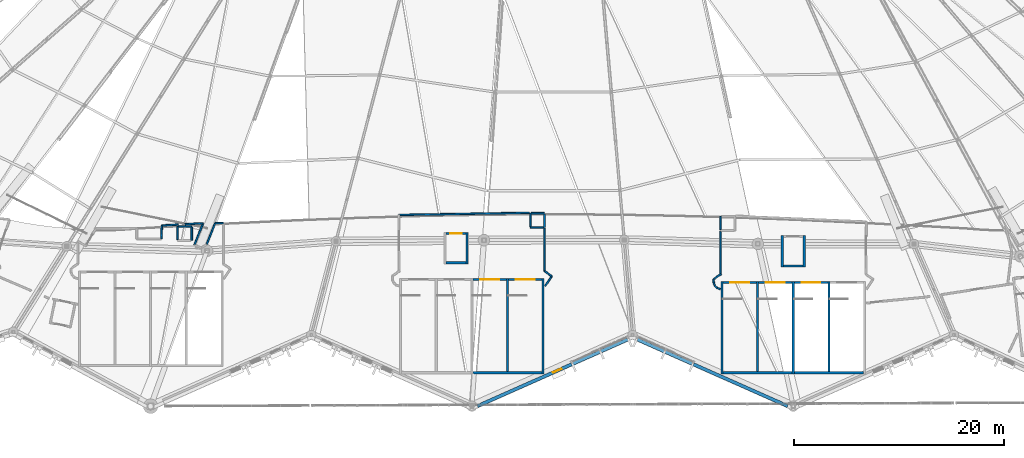
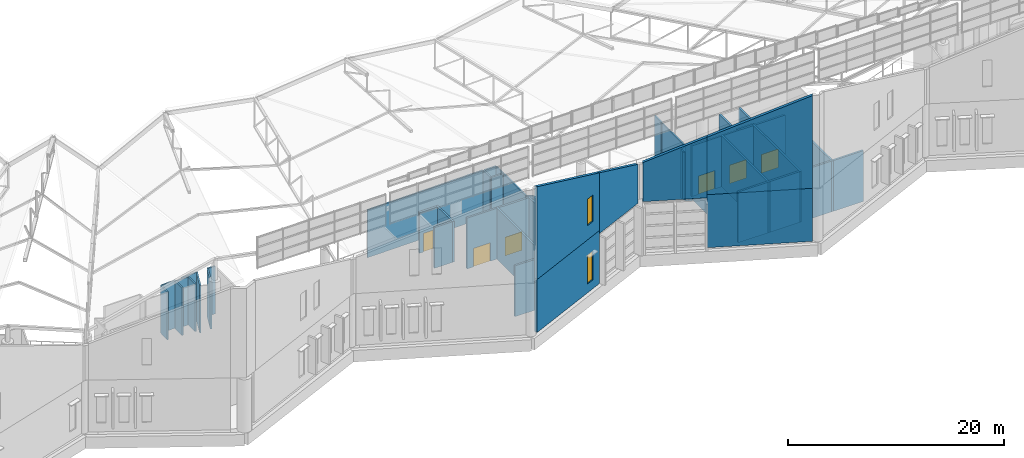
# One storey, part 248 of 344: 50 walls, 6 doors, 2 windows, 8 openings.
"""IFC4 building model written with IfcOpenShell, lengths in metres."""

from ifc_helpers import new_model, si_unit, direction, frame, frame_2d, origin, place, context, subcontext, project, spatial, polyline, rectangle, outline, extrude, material, layer, layer_set, type_object, element, fill, save


model = new_model("IFC4")

# Units and contexts
model_context = context("Model", 3, precision=1e-05, world=origin(), true_north=direction((0.0, 1.0)))
body_context = subcontext(model_context, "Body", "Model", "MODEL_VIEW")
ifc_project = project(units=[si_unit("LENGTHUNIT", "METRE"), si_unit("AREAUNIT", "SQUARE_METRE"), si_unit("VOLUMEUNIT", "CUBIC_METRE"), si_unit("PLANEANGLEUNIT", "RADIAN"), si_unit("MASSUNIT", "GRAM", prefix="KILO")], contexts=[model_context])

# Site, building, storey
site_placement = place(None, origin())
site = spatial("IfcSite", under=ifc_project, at=site_placement, CompositionType="ELEMENT")
building_placement = place(site_placement, origin())
building = spatial("IfcBuilding", under=site, at=building_placement, Name="Meseta Stadium", CompositionType="ELEMENT")
storey_placement = place(building_placement, frame((0.0, 0.0, 24.0)))
storey = spatial("IfcBuildingStorey", under=building, at=storey_placement, Name="L04", CompositionType="ELEMENT", Elevation=24.0)

# Walls
ifc_material_1 = material(Name="Concrete C40/50", Category="concrete")
ifc_layer_1 = layer(ifc_material_1, 0.199951171875)
ifc_layer_set_1 = layer_set([ifc_layer_1], Name="Core divider wall 200")
wall_type_1 = type_object("IfcWallType", Name="Core divider wall 200", PredefinedType="SHEAR", material=ifc_layer_set_1)
wall_1_placement = place(storey_placement, frame((-4.2666015625, -102.300048828125, 0.0), z_axis=(0.0, 0.0, 1.0), x_axis=(0.0, 1.0, 0.0)))
element("IfcWall", 1, at=wall_1_placement, inside=storey, type_object=wall_type_1, Name="Core 24 L04 stair B divider wall", PredefinedType="SHEAR", context=body_context, shape_type="SweptSolid", body=[
    extrude(rectangle(XDim=9.10009765625, YDim=0.199951171875, at=frame_2d((4.550048828125, 0.0))), origin(), (0.0, 0.0, 1.0), 5.75),
])
for number, where, z_axis, x_axis, name in (
    (2, (19.60009765625, -102.300048828125, 0.0), (0.0, 0.0, 1.0), (0.0, 1.0, 0.0), "Core 25 L04 stair A divider wall"),
    (3, (26.39990234375, -102.300048828125, 0.0), (0.0, 0.0, 1.0), (0.0, 1.0, 0.0), "Core 25 L04 stair B divider wall"),
):
    element("IfcWall", number, at=place(storey_placement, frame(where, z_axis=z_axis, x_axis=x_axis)), inside=storey, type_object=wall_type_1, Name=name, PredefinedType="SHEAR", context=body_context, shape_type="SweptSolid", body=[
        extrude(rectangle(XDim=8.800048828125, YDim=0.199951171875, at=frame_2d((4.39990234375, 0.0))), origin(), (0.0, 0.0, 1.0), 5.75),
    ])
ifc_material_2 = material(Name="Concrete C40/50", Category="concrete")
ifc_layer_2 = layer(ifc_material_2, 0.199951171875)
ifc_layer_set_2 = layer_set([ifc_layer_2], Name="Core shaft wall 200")
wall_type_2 = type_object("IfcWallType", Name="Core shaft wall 200", PredefinedType="SHEAR", material=ifc_layer_set_2)
wall_2_placement = place(storey_placement, frame((-0.86669921875, -102.300048828125, 0.0), z_axis=(0.0, 0.0, 1.0), x_axis=(0.0, 1.0, 0.0)))
element("IfcWall", 4, at=wall_2_placement, inside=storey, type_object=wall_type_2, Name="Core 24 L04 stair wall B-side", PredefinedType="SHEAR", context=body_context, shape_type="SweptSolid", body=[
    extrude(rectangle(XDim=9.10009765625, YDim=0.199951171875, at=frame_2d((4.550048828125, 0.0))), origin(), (0.0, 0.0, 1.0), 5.75),
])
wall_3_placement = place(storey_placement, frame((-7.566650390625, -102.199951171875, 0.0), z_axis=(0.0, 0.0, 1.0), x_axis=(1.0, 0.0, 0.0)))
element("IfcWall", 5, at=wall_3_placement, inside=storey, type_object=wall_type_2, Name="Core 24 L04 stair B outer end wall", PredefinedType="SHEAR", context=body_context, shape_type="SweptSolid", body=[
    extrude(rectangle(XDim=6.599853515625, YDim=0.199951171875, at=frame_2d((3.2998046875, 0.0))), origin(), (0.0, 0.0, 1.0), 5.75),
])

# Wall, opening, door
wall_4_placement = place(storey_placement, frame((-7.566650390625, -93.300048828125, 0.0), z_axis=(0.0, 0.0, 1.0), x_axis=(1.0, 0.0, 0.0)))
wall_4 = element("IfcWall", 6, at=wall_4_placement, inside=storey, type_object=wall_type_2, Name="Core 24 L04 stair B1 inner end wall", PredefinedType="SHEAR", context=body_context, shape_type="SweptSolid", body=[
    extrude(rectangle(XDim=3.199951171875, YDim=0.199951171875, at=frame_2d((1.60009765625, 0.0))), origin(), (0.0, 0.0, 1.0), 5.75),
])
opening_1_placement = place(wall_4_placement, frame((0.699951171875, 0.0, 0.0)))
opening_1 = element("IfcOpeningElement", 7, at=opening_1_placement, cuts=wall_4, Name="Opening D1586", PredefinedType="OPENING", context=body_context, shape_type="SweptSolid", body=[
    extrude(rectangle(XDim=1.800048828125, YDim=2.10009765625, at=frame_2d((0.89990234375, 1.050048828125))), frame((0.0, 0.10986328125, 0.0), z_axis=(0.0, -1.0, 0.0), x_axis=(1.0, 0.0, 0.0)), (0.0, 0.0, 1.0), 0.219970703125),
])
ifc_material_3 = material(Name="Steel", Category="steel")
door_type_1 = type_object("IfcDoorType", Name="Stair door 1800x2100", OperationType="DOUBLE_DOOR_SINGLE_SWING", PredefinedType="DOOR", material=ifc_material_3)
door_1_placement = place(opening_1_placement, origin())
door_1 = element("IfcDoor", 8, at=door_1_placement, inside=storey, type_object=door_type_1, Name="Stair B1 door 24 L04", OperationType="DOUBLE_DOOR_SINGLE_SWING", OverallHeight=2.10009765625, OverallWidth=1.800048828125, PredefinedType="DOOR", context=body_context, shape_type="SweptSolid", body=[
    extrude(rectangle(XDim=1.800048828125, YDim=2.10009765625, at=frame_2d((0.89990234375, 1.050048828125))), frame((0.0, 0.02490234375, 0.0), z_axis=(0.0, -1.0, 0.0), x_axis=(1.0, 0.0, 0.0)), (0.0, 0.0, 1.0), 0.050048828125),
])
fill(opening_1, door_1)

wall_5_placement = place(storey_placement, frame((-4.166748046875, -93.300048828125, 0.0), z_axis=(0.0, 0.0, 1.0), x_axis=(1.0, 0.0, 0.0)))
wall_5 = element("IfcWall", 9, at=wall_5_placement, inside=storey, type_object=wall_type_2, Name="Core 24 L04 stair B2 inner end wall", PredefinedType="SHEAR", context=body_context, shape_type="SweptSolid", body=[
    extrude(rectangle(XDim=3.199951171875, YDim=0.199951171875, at=frame_2d((1.60009765625, 0.0))), origin(), (0.0, 0.0, 1.0), 5.75),
])
opening_2_placement = place(wall_5_placement, frame((0.699951171875, 0.0, 0.0)))
opening_2 = element("IfcOpeningElement", 10, at=opening_2_placement, cuts=wall_5, Name="Opening D1587", PredefinedType="OPENING", context=body_context, shape_type="SweptSolid", body=[
    extrude(rectangle(XDim=1.800048828125, YDim=2.10009765625, at=frame_2d((0.89990234375, 1.050048828125))), frame((0.0, 0.10986328125, 0.0), z_axis=(0.0, -1.0, 0.0), x_axis=(1.0, 0.0, 0.0)), (0.0, 0.0, 1.0), 0.219970703125),
])
door_2_placement = place(opening_2_placement, origin())
door_2 = element("IfcDoor", 11, at=door_2_placement, inside=storey, type_object=door_type_1, Name="Stair B2 door 24 L04", OperationType="DOUBLE_DOOR_SINGLE_SWING", OverallHeight=2.10009765625, OverallWidth=1.800048828125, PredefinedType="DOOR", context=body_context, shape_type="SweptSolid", body=[
    extrude(rectangle(XDim=1.800048828125, YDim=2.10009765625, at=frame_2d((0.89990234375, 1.050048828125))), frame((0.0, 0.02490234375, 0.0), z_axis=(0.0, -1.0, 0.0), x_axis=(1.0, 0.0, 0.0)), (0.0, 0.0, 1.0), 0.050048828125),
])
fill(opening_2, door_2)

# Walls
wall_6_placement = place(storey_placement, frame((-8.11669921875, -91.800048828125, 0.0), z_axis=(0.0, 0.0, 1.0), x_axis=(0.0, 1.0, 0.0)))
element("IfcWall", 12, at=wall_6_placement, inside=storey, type_object=wall_type_2, Name="Core 24 L04 lift shaft wall right", PredefinedType="SHEAR", context=body_context, shape_type="SweptSolid", body=[
    extrude(rectangle(XDim=3.0, YDim=0.199951171875, at=frame_2d((1.5, 0.0))), origin(), (0.0, 0.0, 1.0), 4.60009765625),
])
wall_7_placement = place(storey_placement, frame((-10.11669921875, -91.699951171875, 0.0), z_axis=(0.0, 0.0, 1.0), x_axis=(1.0, 0.0, 0.0)))
element("IfcWall", 13, at=wall_7_placement, inside=storey, type_object=wall_type_2, Name="Core 24 L04 lift shaft back wall", PredefinedType="SHEAR", context=body_context, shape_type="SweptSolid", body=[
    extrude(rectangle(XDim=1.89990234375, YDim=0.199951171875, at=frame_2d((0.949951171875, 0.0))), origin(), (0.0, 0.0, 1.0), 4.60009765625),
])

# Wall, opening, door
wall_8_placement = place(storey_placement, frame((-10.11669921875, -88.89990234375, 0.0), z_axis=(0.0, 0.0, 1.0), x_axis=(1.0, 0.0, 0.0)))
wall_8 = element("IfcWall", 14, at=wall_8_placement, inside=storey, type_object=wall_type_2, Name="Core 24 L04 lift shaft front wall", PredefinedType="SHEAR", context=body_context, shape_type="SweptSolid", body=[
    extrude(rectangle(XDim=1.89990234375, YDim=0.199951171875, at=frame_2d((0.949951171875, 0.0))), origin(), (0.0, 0.0, 1.0), 4.60009765625),
])
opening_3_placement = place(wall_8_placement, frame((0.39990234375, 0.0, 0.0)))
opening_3 = element("IfcOpeningElement", 15, at=opening_3_placement, cuts=wall_8, Name="Opening LD134", PredefinedType="OPENING", context=body_context, shape_type="SweptSolid", body=[
    extrude(rectangle(XDim=1.10009765625, YDim=2.10009765625, at=frame_2d((0.550048828125, 1.050048828125))), frame((0.0, 0.10986328125, 0.0), z_axis=(0.0, -1.0, 0.0), x_axis=(1.0, 0.0, 0.0)), (0.0, 0.0, 1.0), 0.219970703125),
])
ifc_material_4 = material(Name="Steel", Category="steel")
door_type_2 = type_object("IfcDoorType", Name="Lift landing door 1100x2100", OperationType="SLIDING_TO_LEFT", PredefinedType="DOOR", material=ifc_material_4)
door_3_placement = place(opening_3_placement, origin())
door_3 = element("IfcDoor", 16, at=door_3_placement, inside=storey, type_object=door_type_2, Name="Lift landing door LD134", OperationType="SLIDING_TO_RIGHT", OverallHeight=2.10009765625, OverallWidth=1.10009765625, PredefinedType="DOOR", context=body_context, shape_type="SweptSolid", body=[
    extrude(rectangle(XDim=1.10009765625, YDim=2.10009765625, at=frame_2d((0.550048828125, 1.050048828125))), frame((0.0, 0.02490234375, 0.0), z_axis=(0.0, -1.0, 0.0), x_axis=(1.0, 0.0, 0.0)), (0.0, 0.0, 1.0), 0.050048828125),
])
fill(opening_3, door_3)

# Walls
for number, where, z_axis, x_axis, name in (
    (17, (16.199951171875, -102.300048828125, 0.0), (0.0, 0.0, 1.0), (0.0, 1.0, 0.0), "Core 25 L04 stair wall A-side"),
    (18, (23.0, -102.300048828125, 0.0), (0.0, 0.0, 1.0), (0.0, 1.0, 0.0), "Core 25 L04 stair wall shared"),
):
    element("IfcWall", number, at=place(storey_placement, frame(where, z_axis=z_axis, x_axis=x_axis)), inside=storey, type_object=wall_type_2, Name=name, PredefinedType="SHEAR", context=body_context, shape_type="SweptSolid", body=[
        extrude(rectangle(XDim=8.800048828125, YDim=0.199951171875, at=frame_2d((4.39990234375, 0.0))), origin(), (0.0, 0.0, 1.0), 5.75),
    ])
for number, where, z_axis, x_axis, name in (
    (19, (16.300048828125, -102.199951171875, 0.0), (0.0, 0.0, 1.0), (1.0, 0.0, 0.0), "Core 25 L04 stair A outer end wall"),
    (20, (23.10009765625, -102.199951171875, 0.0), (0.0, 0.0, 1.0), (1.0, 0.0, 0.0), "Core 25 L04 stair B outer end wall"),
):
    element("IfcWall", number, at=place(storey_placement, frame(where, z_axis=z_axis, x_axis=x_axis)), inside=storey, type_object=wall_type_2, Name=name, PredefinedType="SHEAR", context=body_context, shape_type="SweptSolid", body=[
        extrude(rectangle(XDim=6.599853515625, YDim=0.199951171875, at=frame_2d((3.2998046875, 0.0))), origin(), (0.0, 0.0, 1.0), 5.75),
    ])

# Wall, opening, door
wall_9_placement = place(storey_placement, frame((16.300048828125, -93.60009765625, 0.0), z_axis=(0.0, 0.0, 1.0), x_axis=(1.0, 0.0, 0.0)))
wall_9 = element("IfcWall", 21, at=wall_9_placement, inside=storey, type_object=wall_type_2, Name="Core 25 L04 stair A1 inner end wall", PredefinedType="SHEAR", context=body_context, shape_type="SweptSolid", body=[
    extrude(rectangle(XDim=3.199951171875, YDim=0.199951171875, at=frame_2d((1.60009765625, 0.0))), origin(), (0.0, 0.0, 1.0), 5.75),
])
opening_4_placement = place(wall_9_placement, frame((0.699951171875, 0.0, 0.0)))
opening_4 = element("IfcOpeningElement", 22, at=opening_4_placement, cuts=wall_9, Name="Opening D1593", PredefinedType="OPENING", context=body_context, shape_type="SweptSolid", body=[
    extrude(rectangle(XDim=1.800048828125, YDim=2.10009765625, at=frame_2d((0.89990234375, 1.050048828125))), frame((0.0, 0.10986328125, 0.0), z_axis=(0.0, -1.0, 0.0), x_axis=(1.0, 0.0, 0.0)), (0.0, 0.0, 1.0), 0.219970703125),
])
door_4_placement = place(opening_4_placement, origin())
door_4 = element("IfcDoor", 23, at=door_4_placement, inside=storey, type_object=door_type_1, Name="Stair A1 door 25 L04", OperationType="DOUBLE_DOOR_SINGLE_SWING", OverallHeight=2.10009765625, OverallWidth=1.800048828125, PredefinedType="DOOR", context=body_context, shape_type="SweptSolid", body=[
    extrude(rectangle(XDim=1.800048828125, YDim=2.10009765625, at=frame_2d((0.89990234375, 1.050048828125))), frame((0.0, 0.02490234375, 0.0), z_axis=(0.0, -1.0, 0.0), x_axis=(1.0, 0.0, 0.0)), (0.0, 0.0, 1.0), 0.050048828125),
])
fill(opening_4, door_4)

wall_10_placement = place(storey_placement, frame((19.699951171875, -93.60009765625, 0.0), z_axis=(0.0, 0.0, 1.0), x_axis=(1.0, 0.0, 0.0)))
wall_10 = element("IfcWall", 24, at=wall_10_placement, inside=storey, type_object=wall_type_2, Name="Core 25 L04 stair A2 inner end wall", PredefinedType="SHEAR", context=body_context, shape_type="SweptSolid", body=[
    extrude(rectangle(XDim=3.199951171875, YDim=0.199951171875, at=frame_2d((1.60009765625, 0.0))), origin(), (0.0, 0.0, 1.0), 5.75),
])
opening_5_placement = place(wall_10_placement, frame((0.699951171875, 0.0, 0.0)))
opening_5 = element("IfcOpeningElement", 25, at=opening_5_placement, cuts=wall_10, Name="Opening D1594", PredefinedType="OPENING", context=body_context, shape_type="SweptSolid", body=[
    extrude(rectangle(XDim=1.800048828125, YDim=2.10009765625, at=frame_2d((0.89990234375, 1.050048828125))), frame((0.0, 0.10986328125, 0.0), z_axis=(0.0, -1.0, 0.0), x_axis=(1.0, 0.0, 0.0)), (0.0, 0.0, 1.0), 0.219970703125),
])
door_5_placement = place(opening_5_placement, origin())
door_5 = element("IfcDoor", 26, at=door_5_placement, inside=storey, type_object=door_type_1, Name="Stair A2 door 25 L04", OperationType="DOUBLE_DOOR_SINGLE_SWING", OverallHeight=2.10009765625, OverallWidth=1.800048828125, PredefinedType="DOOR", context=body_context, shape_type="SweptSolid", body=[
    extrude(rectangle(XDim=1.800048828125, YDim=2.10009765625, at=frame_2d((0.89990234375, 1.050048828125))), frame((0.0, 0.02490234375, 0.0), z_axis=(0.0, -1.0, 0.0), x_axis=(1.0, 0.0, 0.0)), (0.0, 0.0, 1.0), 0.050048828125),
])
fill(opening_5, door_5)

wall_11_placement = place(storey_placement, frame((23.10009765625, -93.60009765625, 0.0), z_axis=(0.0, 0.0, 1.0), x_axis=(1.0, 0.0, 0.0)))
wall_11 = element("IfcWall", 27, at=wall_11_placement, inside=storey, type_object=wall_type_2, Name="Core 25 L04 stair B1 inner end wall", PredefinedType="SHEAR", context=body_context, shape_type="SweptSolid", body=[
    extrude(rectangle(XDim=3.199951171875, YDim=0.199951171875, at=frame_2d((1.60009765625, 0.0))), origin(), (0.0, 0.0, 1.0), 5.75),
])
opening_6_placement = place(wall_11_placement, frame((0.699951171875, 0.0, 0.0)))
opening_6 = element("IfcOpeningElement", 28, at=opening_6_placement, cuts=wall_11, Name="Opening D1595", PredefinedType="OPENING", context=body_context, shape_type="SweptSolid", body=[
    extrude(rectangle(XDim=1.800048828125, YDim=2.10009765625, at=frame_2d((0.89990234375, 1.050048828125))), frame((0.0, 0.10986328125, 0.0), z_axis=(0.0, -1.0, 0.0), x_axis=(1.0, 0.0, 0.0)), (0.0, 0.0, 1.0), 0.219970703125),
])
door_6_placement = place(opening_6_placement, origin())
door_6 = element("IfcDoor", 29, at=door_6_placement, inside=storey, type_object=door_type_1, Name="Stair B1 door 25 L04", OperationType="DOUBLE_DOOR_SINGLE_SWING", OverallHeight=2.10009765625, OverallWidth=1.800048828125, PredefinedType="DOOR", context=body_context, shape_type="SweptSolid", body=[
    extrude(rectangle(XDim=1.800048828125, YDim=2.10009765625, at=frame_2d((0.89990234375, 1.050048828125))), frame((0.0, 0.02490234375, 0.0), z_axis=(0.0, -1.0, 0.0), x_axis=(1.0, 0.0, 0.0)), (0.0, 0.0, 1.0), 0.050048828125),
])
fill(opening_6, door_6)

# Walls
for number, where, z_axis, x_axis, name in (
    (30, (21.949951171875, -92.10009765625, 0.0), (0.0, 0.0, 1.0), (0.0, 1.0, 0.0), "Core 25 L04 lift shaft wall left"),
    (31, (24.050048828125, -92.10009765625, 0.0), (0.0, 0.0, 1.0), (0.0, 1.0, 0.0), "Core 25 L04 lift shaft wall right"),
):
    element("IfcWall", number, at=place(storey_placement, frame(where, z_axis=z_axis, x_axis=x_axis)), inside=storey, type_object=wall_type_2, Name=name, PredefinedType="SHEAR", context=body_context, shape_type="SweptSolid", body=[
        extrude(rectangle(XDim=3.0, YDim=0.199951171875, at=frame_2d((1.5, 0.0))), origin(), (0.0, 0.0, 1.0), 4.60009765625),
    ])
wall_12_placement = place(storey_placement, frame((22.050048828125, -92.0, 0.0), z_axis=(0.0, 0.0, 1.0), x_axis=(1.0, 0.0, 0.0)))
element("IfcWall", 32, at=wall_12_placement, inside=storey, type_object=wall_type_2, Name="Core 25 L04 lift shaft back wall", PredefinedType="SHEAR", context=body_context, shape_type="SweptSolid", body=[
    extrude(rectangle(XDim=1.89990234375, YDim=0.199951171875, at=frame_2d((0.949951171875, 0.0))), origin(), (0.0, 0.0, 1.0), 4.60009765625),
])
ifc_material_5 = material(Name="Masonry blockwork", Category="masonry")
ifc_layer_3 = layer(ifc_material_5, 0.14990234375)
ifc_layer_set_3 = layer_set([ifc_layer_3], Name="Partition 150")
wall_type_3 = type_object("IfcWallType", Name="Partition 150", PredefinedType="PARTITIONING", material=ifc_layer_set_3)
for number, where, z_axis, x_axis, name in (
    (33, (-34.408203125, -89.576171875, 0.0), (0.0, 0.0, 1.0), (0.0, 1.0, 0.0), "Pressurisation shaft wall L04 core 23"),
    (34, (-34.408203125, -88.22607421875, 0.0), (0.0, 0.0, 1.0), (-1.0, 0.0, 0.0), "Pressurisation shaft wall L04 core 23"),
    (35, (-35.75830078125, -88.22607421875, 0.0), (0.0, 0.0, 1.0), (0.0, -1.0, 0.0), "Pressurisation shaft wall L04 core 23"),
):
    element("IfcWall", number, at=place(storey_placement, frame(where, z_axis=z_axis, x_axis=x_axis)), inside=storey, type_object=wall_type_3, Name=name, PredefinedType="PARTITIONING", context=body_context, shape_type="SweptSolid", body=[
        extrude(rectangle(XDim=1.275146484375, YDim=0.14990234375, at=frame_2d((0.6376953125, 0.0))), origin(), (0.0, 0.0, 1.0), 5.39990234375),
    ])
wall_13_placement = place(storey_placement, frame((-31.38818359375, -87.925048828125, 0.0), z_axis=(0.0, 0.0, 1.0), x_axis=(-1.0, 0.0, 0.0)))
element("IfcWall", 36, at=wall_13_placement, inside=storey, type_object=wall_type_3, Name="Stair vestibule wall L04 core 23", PredefinedType="PARTITIONING", context=body_context, shape_type="SweptSolid", body=[
    extrude(rectangle(XDim=0.785400390625, YDim=0.14990234375, at=frame_2d((0.392578125, 0.0))), origin(), (0.0, 0.0, 1.0), 5.39990234375),
])
wall_14_placement = place(storey_placement, frame((-32.173583984375, -87.925048828125, 0.0), z_axis=(0.0, 0.0, 1.0), x_axis=(-0.369198691501, -0.929350486197, 0.0)))
element("IfcWall", 37, at=wall_14_placement, inside=storey, type_object=wall_type_3, Name="Stair vestibule wall L04 core 23", PredefinedType="PARTITIONING", context=body_context, shape_type="SweptSolid", body=[
    extrude(rectangle(XDim=2.15185546875, YDim=0.14990234375, at=frame_2d((1.075927734375, 0.0))), origin(), (0.0, 0.0, 1.0), 5.39990234375),
])
wall_15_placement = place(storey_placement, frame((-34.151611328125, -90.01513671875, 0.0), z_axis=(0.0, 0.0, 1.0), x_axis=(0.368716786322, 0.929541785766, 0.0)))
element("IfcWall", 38, at=wall_15_placement, inside=storey, type_object=wall_type_3, Name="Stair vestibule wall L04 core 23", PredefinedType="PARTITIONING", context=body_context, shape_type="SweptSolid", body=[
    extrude(rectangle(XDim=2.23681640625, YDim=0.14990234375, at=frame_2d((1.118408203125, 0.0))), origin(), (0.0, 0.0, 1.0), 5.39990234375),
])
wall_16_placement = place(storey_placement, frame((-33.326904296875, -87.93603515625, 0.0), z_axis=(0.0, 0.0, 1.0), x_axis=(-0.998566916536, -0.053517410244, 0.0)))
element("IfcWall", 39, at=wall_16_placement, inside=storey, type_object=wall_type_3, Name="Stair vestibule wall L04 core 23", PredefinedType="PARTITIONING", context=body_context, shape_type="SweptSolid", body=[
    extrude(rectangle(XDim=1.724365234375, YDim=0.14990234375, at=frame_2d((0.8623046875, 0.0))), origin(), (0.0, 0.0, 1.0), 5.39990234375),
])
wall_17_placement = place(storey_placement, frame((-35.696044921875, -88.06298828125, 0.0), z_axis=(0.0, 0.0, 1.0), x_axis=(-0.998569921062, -0.053461320132, 0.0)))
element("IfcWall", 40, at=wall_17_placement, inside=storey, type_object=wall_type_3, Name="Stair vestibule wall L04 core 23", PredefinedType="PARTITIONING", context=body_context, shape_type="SweptSolid", body=[
    extrude(rectangle(XDim=1.561767578125, YDim=0.14990234375, at=frame_2d((0.78076171875, 0.0))), origin(), (0.0, 0.0, 1.0), 5.39990234375),
])
wall_18_placement = place(storey_placement, frame((-37.255615234375, -88.146484375, 0.0), z_axis=(0.0, 0.0, 1.0), x_axis=(-0.040257580616, -0.999189335013, 0.0)))
element("IfcWall", 41, at=wall_18_placement, inside=storey, type_object=wall_type_3, Name="Stair vestibule wall L04 core 23", PredefinedType="PARTITIONING", context=body_context, shape_type="SweptSolid", body=[
    extrude(rectangle(XDim=1.279541015625, YDim=0.14990234375, at=frame_2d((0.6396484375, 0.0))), origin(), (0.0, 0.0, 1.0), 5.39990234375),
])
wall_19_placement = place(storey_placement, frame((-2.091796875, -88.324951171875, 0.0), z_axis=(0.0, 0.0, 1.0), x_axis=(1.0, 0.0, 0.0)))
element("IfcWall", 42, at=wall_19_placement, inside=storey, type_object=wall_type_3, Name="Pressurisation shaft wall L04 core 24", PredefinedType="PARTITIONING", context=body_context, shape_type="SweptSolid", body=[
    extrude(rectangle(XDim=1.275146484375, YDim=0.14990234375, at=frame_2d((0.6376953125, 0.0))), origin(), (0.0, 0.0, 1.0), 5.39990234375),
])
for number, where, z_axis, x_axis, name in (
    (43, (-0.74169921875, -88.324951171875, 0.0), (0.0, 0.0, 1.0), (0.0, 1.0, 0.0), "Pressurisation shaft wall L04 core 24"),
    (44, (-0.74169921875, -86.97509765625, 0.0), (0.0, 0.0, 1.0), (-1.0, 0.0, 0.0), "Pressurisation shaft wall L04 core 24"),
    (45, (-2.091796875, -86.97509765625, 0.0), (0.0, 0.0, 1.0), (0.0, -1.0, 0.0), "Pressurisation shaft wall L04 core 24"),
):
    element("IfcWall", number, at=place(storey_placement, frame(where, z_axis=z_axis, x_axis=x_axis)), inside=storey, type_object=wall_type_3, Name=name, PredefinedType="PARTITIONING", context=body_context, shape_type="SweptSolid", body=[
        extrude(rectangle(XDim=1.27490234375, YDim=0.14990234375, at=frame_2d((0.637451171875, 0.0))), origin(), (0.0, 0.0, 1.0), 5.39990234375),
    ])
wall_20_placement = place(storey_placement, frame((-0.677001953125, -93.919677734375, 0.0), z_axis=(0.0, 0.0, 1.0), x_axis=(0.561972470497, 0.827155935966, 0.0)))
element("IfcWall", 46, at=wall_20_placement, inside=storey, type_object=wall_type_3, Name="Stair vestibule wall L04 core 24", PredefinedType="PARTITIONING", context=body_context, shape_type="SweptSolid", body=[
    extrude(rectangle(XDim=1.127685546875, YDim=0.14990234375, at=frame_2d((0.56396484375, 0.0))), origin(), (0.0, 0.0, 1.0), 5.39990234375),
])
wall_21_placement = place(storey_placement, frame((-0.043212890625, -92.98681640625, 0.0), z_axis=(0.0, 0.0, 1.0), x_axis=(-0.81774999294, 0.575573582652, 0.0)))
element("IfcWall", 47, at=wall_21_placement, inside=storey, type_object=wall_type_3, Name="Stair vestibule wall L04 core 24", PredefinedType="PARTITIONING", context=body_context, shape_type="SweptSolid", body=[
    extrude(rectangle(XDim=0.82958984375, YDim=0.14990234375, at=frame_2d((0.414794921875, 0.0))), origin(), (0.0, 0.0, 1.0), 5.39990234375),
])
wall_22_placement = place(storey_placement, frame((-0.7216796875, -92.50927734375, 0.0), z_axis=(0.0, 0.0, 1.0), x_axis=(0.0, 1.0, 0.0)))
element("IfcWall", 48, at=wall_22_placement, inside=storey, type_object=wall_type_3, Name="Stair vestibule wall L04 core 24", PredefinedType="PARTITIONING", context=body_context, shape_type="SweptSolid", body=[
    extrude(rectangle(XDim=4.103515625, YDim=0.14990234375, at=frame_2d((2.0517578125, 0.0))), origin(), (0.0, 0.0, 1.0), 5.39990234375),
])
wall_23_placement = place(storey_placement, frame((-2.177978515625, -86.936767578125, 0.0), z_axis=(0.0, 0.0, 1.0), x_axis=(-0.999864668818, -0.016451262841, 0.0)))
element("IfcWall", 49, at=wall_23_placement, inside=storey, type_object=wall_type_3, Name="Stair vestibule wall L04 core 24", PredefinedType="PARTITIONING", context=body_context, shape_type="SweptSolid", body=[
    extrude(rectangle(XDim=12.4658203125, YDim=0.14990234375, at=frame_2d((6.23291015625, 0.0))), origin(), (0.0, 0.0, 1.0), 5.39990234375),
])
wall_24_placement = place(storey_placement, frame((16.074951171875, -87.27490234375, 0.0), z_axis=(0.0, 0.0, 1.0), x_axis=(0.0, -1.0, 0.0)))
element("IfcWall", 50, at=wall_24_placement, inside=storey, type_object=wall_type_3, Name="Pressurisation shaft wall L04 core 25", PredefinedType="PARTITIONING", context=body_context, shape_type="SweptSolid", body=[
    extrude(rectangle(XDim=1.275146484375, YDim=0.14990234375, at=frame_2d((0.6376953125, 0.0))), origin(), (0.0, 0.0, 1.0), 5.39990234375),
])
wall_25_placement = place(storey_placement, frame((16.119384765625, -92.763916015625, 0.0), z_axis=(0.0, 0.0, 1.0), x_axis=(-0.817709179483, -0.575631564275, 0.0)))
element("IfcWall", 51, at=wall_25_placement, inside=storey, type_object=wall_type_3, Name="Stair vestibule wall L04 core 25", PredefinedType="PARTITIONING", context=body_context, shape_type="SweptSolid", body=[
    extrude(rectangle(XDim=0.87548828125, YDim=0.14990234375, at=frame_2d((0.437744140625, 0.0))), origin(), (0.0, 0.0, 1.0), 5.39990234375),
])
wall_26_placement = place(storey_placement, frame((15.403564453125, -93.267822265625, 0.0), z_axis=(0.0, 0.0, 1.0), x_axis=(0.038982051143, -0.999239910977, 0.0)))
element("IfcWall", 52, at=wall_26_placement, inside=storey, type_object=wall_type_3, Name="Stair vestibule wall L04 core 25", PredefinedType="PARTITIONING", context=body_context, shape_type="SweptSolid", body=[
    extrude(rectangle(XDim=0.375732421875, YDim=0.14990234375, at=frame_2d((0.18798828125, 0.0))), origin(), (0.0, 0.0, 1.0), 5.39990234375),
])
wall_27_placement = place(storey_placement, frame((15.418212890625, -93.643310546875, 0.0), z_axis=(0.0, 0.0, 1.0), x_axis=(0.382275228123, -0.924048510611, 0.0)))
element("IfcWall", 53, at=wall_27_placement, inside=storey, type_object=wall_type_3, Name="Stair vestibule wall L04 core 25", PredefinedType="PARTITIONING", context=body_context, shape_type="SweptSolid", body=[
    extrude(rectangle(XDim=0.28173828125, YDim=0.14990234375, at=frame_2d((0.140869140625, 0.0))), origin(), (0.0, 0.0, 1.0), 5.39990234375),
])
wall_28_placement = place(storey_placement, frame((15.52587890625, -93.903564453125, 0.0), z_axis=(0.0, 0.0, 1.0), x_axis=(0.707534941396, -0.706678361564, 0.0)))
element("IfcWall", 54, at=wall_28_placement, inside=storey, type_object=wall_type_3, Name="Stair vestibule wall L04 core 25", PredefinedType="PARTITIONING", context=body_context, shape_type="SweptSolid", body=[
    extrude(rectangle(XDim=0.284912109375, YDim=0.14990234375, at=frame_2d((0.142578125, 0.0))), origin(), (0.0, 0.0, 1.0), 5.39990234375),
])
wall_29_placement = place(storey_placement, frame((15.7275390625, -94.10498046875, 0.0), z_axis=(0.0, 0.0, 1.0), x_axis=(0.937674325327, -0.347515265308, 0.0)))
element("IfcWall", 55, at=wall_29_placement, inside=storey, type_object=wall_type_3, Name="Stair vestibule wall L04 core 25", PredefinedType="PARTITIONING", context=body_context, shape_type="SweptSolid", body=[
    extrude(rectangle(XDim=0.356201171875, YDim=0.14990234375, at=frame_2d((0.17822265625, 0.0))), origin(), (0.0, 0.0, 1.0), 5.39990234375),
])
wall_30_placement = place(storey_placement, frame((16.054931640625, -88.7099609375, 0.0), z_axis=(0.0, 0.0, 1.0), x_axis=(0.0, -1.0, 0.0)))
element("IfcWall", 56, at=wall_30_placement, inside=storey, type_object=wall_type_3, Name="Stair vestibule wall L04 core 25", PredefinedType="PARTITIONING", context=body_context, shape_type="SweptSolid", body=[
    extrude(rectangle(XDim=4.17822265625, YDim=0.14990234375, at=frame_2d((2.089111328125, 0.0))), origin(), (0.0, 0.0, 1.0), 5.39990234375),
])

# Wall, opening, window
ifc_material_6 = material(Name="White precast concrete C40/50", Category="concrete")
ifc_layer_4 = layer(ifc_material_6, 0.320068359375)
ifc_layer_set_4 = layer_set([ifc_layer_4], Name="Pleated fascia panel 320 raked")
wall_type_4 = type_object("IfcWallType", Name="Pleated fascia panel 320 raked", PredefinedType="SOLIDWALL", material=ifc_layer_set_4)
wall_31_placement = place(storey_placement, frame((1.851806640625, -101.3974609375, 6.0), z_axis=(0.0, 0.0, 1.0), x_axis=(-0.914133039962, -0.405414337745, 0.0)))
wall_31 = element("IfcWall", 57, at=wall_31_placement, inside=storey, type_object=wall_type_4, Name="Pleated fascia panel L04 F46", PredefinedType="SOLIDWALL", context=body_context, shape_type="SweptSolid", body=[
    extrude(outline(polyline([(0.0, 0.0), (9.82421875, 0.0), (9.824462890625, 10.487548828125), (0.0, 6.504638671875), (0.0, 0.0)])), frame((0.0, 0.16015625, 0.0), z_axis=(0.0, -1.0, 0.0), x_axis=(1.0, 0.0, 0.0)), (0.0, 0.0, 1.0), 0.320068359375),
])
opening_7_placement = place(wall_31_placement, frame((1.05029296875, 0.0, 1.60009765625)))
opening_7 = element("IfcOpeningElement", 58, at=opening_7_placement, cuts=wall_31, Name="Opening W257", PredefinedType="OPENING", context=body_context, shape_type="SweptSolid", body=[
    extrude(rectangle(XDim=0.89990234375, YDim=3.0, at=frame_2d((0.449951171875, 1.5))), frame((0.0, 0.169921875, 0.0), z_axis=(0.0, -1.0, 0.0), x_axis=(1.0, 0.0, 0.0)), (0.0, 0.0, 1.0), 0.340087890625),
])
ifc_material_7 = material(Name="Aluminium", Category="aluminium")
window_type_1 = type_object("IfcWindowType", Name="Slot window 900x3000", PartitioningType="SINGLE_PANEL", PredefinedType="WINDOW", material=ifc_material_7)
window_1_placement = place(opening_7_placement, origin())
window_1 = element("IfcWindow", 59, at=window_1_placement, inside=storey, type_object=window_type_1, Name="Slot window L04 F46.4", OverallHeight=3.0, OverallWidth=0.89990234375, PartitioningType="SINGLE_PANEL", PredefinedType="WINDOW", context=body_context, shape_type="SweptSolid", body=[
    extrude(rectangle(XDim=0.89990234375, YDim=3.0, at=frame_2d((0.449951171875, 1.5))), frame((0.0, 0.030029296875, 0.0), z_axis=(0.0, -1.0, 0.0), x_axis=(1.0, 0.0, 0.0)), (0.0, 0.0, 1.0), 0.06005859375),
])
fill(opening_7, window_1)

# Walls
wall_32_placement = place(storey_placement, frame((7.336669921875, -98.965087890625, 5.64990234375), z_axis=(0.0, 0.0, 1.0), x_axis=(-0.914141799863, -0.405394585242, 0.0)))
element("IfcWall", 60, at=wall_32_placement, inside=storey, type_object=wall_type_4, Name="Pleated facade panel above atrium F46", PredefinedType="SOLIDWALL", context=body_context, shape_type="SweptSolid", body=[
    extrude(outline(polyline([(0.0, 0.0), (6.0, 0.0), (6.0, 6.854736328125), (0.0, 4.42236328125), (0.0, 0.0)])), frame((0.0, 0.16015625, 0.0), z_axis=(0.0, -1.0, 0.0), x_axis=(1.0, 0.0, 0.0)), (0.0, 0.0, 1.0), 0.320068359375),
])
wall_33_placement = place(storey_placement, frame((22.462158203125, -105.38037109375, 6.0), z_axis=(0.0, 0.0, 1.0), x_axis=(-0.914133039962, 0.405414337745, 0.0)))
element("IfcWall", 61, at=wall_33_placement, inside=storey, type_object=wall_type_4, Name="Pleated fascia panel L04 F47", PredefinedType="SOLIDWALL", context=body_context, shape_type="SweptSolid", body=[
    extrude(outline(polyline([(0.0, 0.0), (9.82421875, 0.0), (9.824462890625, 6.504638671875), (0.0, 10.487548828125), (0.0, 0.0)])), frame((0.0, 0.16015625, 0.0), z_axis=(0.0, -1.0, 0.0), x_axis=(1.0, 0.0, 0.0)), (0.0, 0.0, 1.0), 0.320068359375),
])
wall_34_placement = place(storey_placement, frame((13.4814453125, -101.3974609375, 5.64990234375), z_axis=(0.0, 0.0, 1.0), x_axis=(-0.914141799863, 0.405394585242, 0.0)))
element("IfcWall", 62, at=wall_34_placement, inside=storey, type_object=wall_type_4, Name="Pleated facade panel above atrium F47", PredefinedType="SOLIDWALL", context=body_context, shape_type="SweptSolid", body=[
    extrude(outline(polyline([(0.0, 0.0), (6.0, 0.0), (6.0, 4.42236328125), (0.0, 6.854736328125), (0.0, 0.0)])), frame((0.0, 0.16015625, 0.0), z_axis=(0.0, -1.0, 0.0), x_axis=(1.0, 0.0, 0.0)), (0.0, 0.0, 1.0), 0.320068359375),
])

# Wall, opening, window
ifc_material_8 = material(Name="White precast concrete C40/50", Category="concrete")
ifc_layer_5 = layer(ifc_material_8, 0.320068359375)
ifc_layer_set_5 = layer_set([ifc_layer_5], Name="Pleated panel wall 320")
wall_type_5 = type_object("IfcWallType", Name="Pleated panel wall 320", PredefinedType="SOLIDWALL", material=ifc_layer_set_5)
wall_35_placement = place(storey_placement, frame((1.851806640625, -101.3974609375, 0.0), z_axis=(0.0, 0.0, 1.0), x_axis=(-0.914133039962, -0.405414337745, 0.0)))
wall_35 = element("IfcWall", 63, at=wall_35_placement, inside=storey, type_object=wall_type_5, Name="Pleated facade panel L04 F46", PredefinedType="SOLIDWALL", context=body_context, shape_type="SweptSolid", body=[
    extrude(rectangle(XDim=9.82421875, YDim=0.320068359375, at=frame_2d((4.912109375, 0.0))), origin(), (0.0, 0.0, 1.0), 6.0),
])
opening_8_placement = place(wall_35_placement, frame((1.05029296875, 0.0, 1.0)))
opening_8 = element("IfcOpeningElement", 64, at=opening_8_placement, cuts=wall_35, Name="Opening W256", PredefinedType="OPENING", context=body_context, shape_type="SweptSolid", body=[
    extrude(rectangle(XDim=0.89990234375, YDim=3.25, at=frame_2d((0.449951171875, 1.625))), frame((0.0, 0.169921875, 0.0), z_axis=(0.0, -1.0, 0.0), x_axis=(1.0, 0.0, 0.0)), (0.0, 0.0, 1.0), 0.340087890625),
])
ifc_material_9 = material(Name="Aluminium", Category="aluminium")
window_type_2 = type_object("IfcWindowType", Name="Slot window 900x3250", PartitioningType="SINGLE_PANEL", PredefinedType="WINDOW", material=ifc_material_9)
window_2_placement = place(opening_8_placement, origin())
window_2 = element("IfcWindow", 65, at=window_2_placement, inside=storey, type_object=window_type_2, Name="Slot window L04 F46.4", OverallHeight=3.25, OverallWidth=0.89990234375, PartitioningType="SINGLE_PANEL", PredefinedType="WINDOW", context=body_context, shape_type="SweptSolid", body=[
    extrude(rectangle(XDim=0.89990234375, YDim=3.25, at=frame_2d((0.449951171875, 1.625))), frame((0.0, 0.030029296875, 0.0), z_axis=(0.0, -1.0, 0.0), x_axis=(1.0, 0.0, 0.0)), (0.0, 0.0, 1.0), 0.06005859375),
])
fill(opening_8, window_2)

# Wall
wall_36_placement = place(storey_placement, frame((22.462158203125, -105.38037109375, 0.0), z_axis=(0.0, 0.0, 1.0), x_axis=(-0.914133039962, 0.405414337745, 0.0)))
element("IfcWall", 66, at=wall_36_placement, inside=storey, type_object=wall_type_5, Name="Pleated facade panel L04 F47", PredefinedType="SOLIDWALL", context=body_context, shape_type="SweptSolid", body=[
    extrude(rectangle(XDim=9.82421875, YDim=0.320068359375, at=frame_2d((4.912109375, 0.0))), origin(), (0.0, 0.0, 1.0), 6.0),
])

save(model, "model.ifc")
